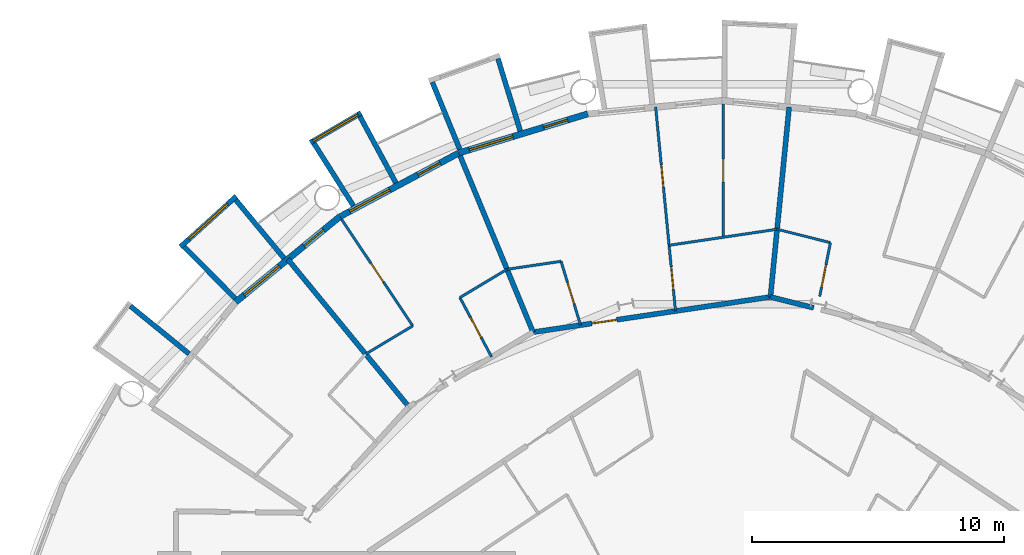
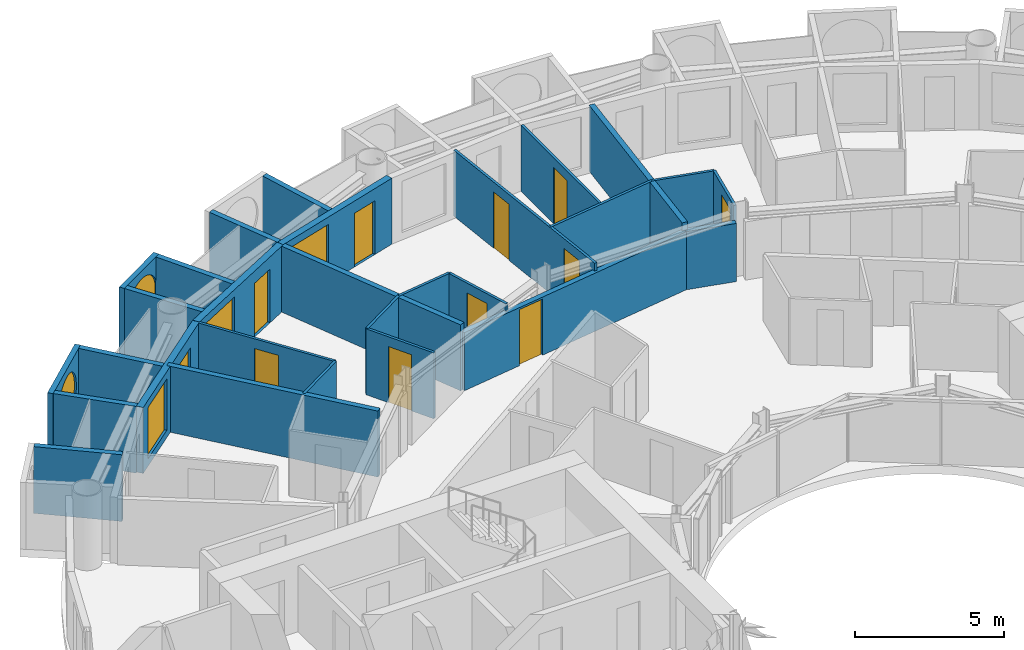
# One storey, part 19 of 26: 28 walls, 11 doors, 5 windows, 16 openings.
"""IFC4 building model written with IfcOpenShell, lengths in metres."""

from ifc_helpers import new_model, si_unit, direction, frame, frame_2d, origin, place, context, subcontext, project, spatial, rectangle, circle, extrude, material, layer, layer_set, type_object, element, fill, save


model = new_model("IFC4")

# Units and contexts
model_context = context("Model", 3, precision=1e-05, world=origin(), true_north=direction((0.0, 1.0)))
body_context = subcontext(model_context, "Body", "Model", "MODEL_VIEW")
ifc_project = project(units=[si_unit("LENGTHUNIT", "METRE"), si_unit("AREAUNIT", "SQUARE_METRE"), si_unit("VOLUMEUNIT", "CUBIC_METRE"), si_unit("PLANEANGLEUNIT", "RADIAN"), si_unit("MASSUNIT", "GRAM", prefix="KILO")], contexts=[model_context])

# Site, building, storey
site_placement = place(None, origin())
site = spatial("IfcSite", under=ifc_project, at=site_placement, CompositionType="ELEMENT")
building_placement = place(site_placement, origin())
building = spatial("IfcBuilding", under=site, at=building_placement, Name="Maasbend Ring Residences", CompositionType="ELEMENT")
storey_placement = place(building_placement, frame((0.0, 0.0, 31.949951171875)))
storey = spatial("IfcBuildingStorey", under=building, at=storey_placement, Name="L08", CompositionType="ELEMENT", Elevation=31.949951171875)

# Wall, opening, door
ifc_material_1 = material(Name="Concrete C30/37", Category="concrete")
ifc_layer_1 = layer(ifc_material_1, 0.199951171875)
ifc_layer_set_1 = layer_set([ifc_layer_1], Name="Concrete C30/37")
wall_type_1 = type_object("IfcWallType", Name="CORRIDOR WALL 200 CONCRETE", PredefinedType="PARTITIONING", material=ifc_layer_set_1)
wall_1_placement = place(storey_placement, frame((-7.5009765625, 18.10791015625, 0.0), z_axis=(0.0, 0.0, 1.0), x_axis=(0.989167514259, 0.146791105777, 0.0)))
wall_1 = element("IfcWall", 1, at=wall_1_placement, inside=storey, type_object=wall_type_1, Name="U-L08-w086", PredefinedType="PARTITIONING", context=body_context, shape_type="SweptSolid", body=[
    extrude(rectangle(XDim=9.525146484375, YDim=0.199951171875, at=frame_2d((4.7626953125, 0.0))), origin(), (0.0, 0.0, 1.0), 2.380126953125),
])
opening_1_placement = place(wall_1_placement, frame((2.35498046875, 0.0, 0.0)))
opening_1 = element("IfcOpeningElement", 2, at=opening_1_placement, cuts=wall_1, Name="Opening D-0810", PredefinedType="OPENING", context=body_context, shape_type="SweptSolid", body=[
    extrude(rectangle(XDim=1.0, YDim=2.300048828125, at=frame_2d((0.5, 1.14990234375))), frame((0.0, 0.10986328125, 0.0), z_axis=(0.0, -1.0, 0.0), x_axis=(1.0, 0.0, 0.0)), (0.0, 0.0, 1.0), 0.219970703125),
])
ifc_material_2 = material(Name="Timber, fire-rated, painted", Category="wood")
door_type_1 = type_object("IfcDoorType", Name="FLAT ENTRANCE DOOR 1000 X 2300 FIRE-RATED", OperationType="NOTDEFINED", PredefinedType="DOOR", material=ifc_material_2)
door_1_placement = place(opening_1_placement, origin())
door_1 = element("IfcDoor", 3, at=door_1_placement, inside=storey, type_object=door_type_1, Name="D-0810", OperationType="SINGLE_SWING_LEFT", OverallHeight=2.300048828125, OverallWidth=1.0, PredefinedType="DOOR", context=body_context, shape_type="SweptSolid", body=[
    extrude(rectangle(XDim=1.0, YDim=2.300048828125, at=frame_2d((0.5, 1.14990234375))), frame((0.0, 0.02490234375, 0.0), z_axis=(0.0, -1.0, 0.0), x_axis=(1.0, 0.0, 0.0)), (0.0, 0.0, 1.0), 0.050048828125),
])
fill(opening_1, door_1)

# Walls
wall_2_placement = place(storey_placement, frame((1.9208984375, 19.506103515625, 0.0), z_axis=(0.0, 0.0, 1.0), x_axis=(0.970053237222, -0.242892397895, 0.0)))
element("IfcWall", 4, at=wall_2_placement, inside=storey, type_object=wall_type_1, Name="U-L08-w090", PredefinedType="PARTITIONING", context=body_context, shape_type="SweptSolid", body=[
    extrude(rectangle(XDim=1.77099609375, YDim=0.199951171875, at=frame_2d((0.885498046875, 0.0))), origin(), (0.0, 0.0, 1.0), 2.380126953125),
])
ifc_material_3 = material(Name="Pale anodised aluminium panel", Category="aluminium")
ifc_layer_2 = layer(ifc_material_3, 0.199951171875)
ifc_layer_set_2 = layer_set([ifc_layer_2], Name="EW-BOX")
wall_type_2 = type_object("IfcWallType", Name="EW-BOX", PredefinedType="SOLIDWALL", material=ifc_layer_set_2)
wall_3_placement = place(storey_placement, frame((-8.009033203125, 26.092041015625, -0.030029296875), z_axis=(0.0, 0.0, 1.0), x_axis=(-0.293406695073, 0.955987715029, 0.0)))
element("IfcWall", 5, at=wall_3_placement, inside=storey, type_object=wall_type_2, Name="Box side wall N14 left", PredefinedType="SOLIDWALL", context=body_context, shape_type="SweptSolid", body=[
    extrude(rectangle(XDim=3.00634765625, YDim=0.199951171875, at=frame_2d((1.503173828125, 0.0))), origin(), (0.0, 0.0, 1.0), 2.72998046875),
])
wall_4_placement = place(storey_placement, frame((-10.408935546875, 25.364013671875, -0.030029296875), z_axis=(0.0, 0.0, 1.0), x_axis=(-0.379509886562, 0.925187681501, 0.0)))
element("IfcWall", 6, at=wall_4_placement, inside=storey, type_object=wall_type_2, Name="Box side wall N14 right", PredefinedType="SOLIDWALL", context=body_context, shape_type="SweptSolid", body=[
    extrude(rectangle(XDim=2.882568359375, YDim=0.199951171875, at=frame_2d((1.44140625, 0.0))), origin(), (0.0, 0.0, 1.0), 2.72998046875),
])

# Wall, opening, window
wall_5_placement = place(storey_placement, frame((-14.326904296875, 26.81201171875, -0.030029296875), z_axis=(0.0, 0.0, 1.0), x_axis=(-0.863346521872, -0.504611517081, 0.0)))
wall_5 = element("IfcWall", 7, at=wall_5_placement, inside=storey, type_object=wall_type_2, Name="Box front N16", PredefinedType="SOLIDWALL", context=body_context, shape_type="SweptSolid", body=[
    extrude(rectangle(XDim=2.33642578125, YDim=0.199951171875, at=frame_2d((1.168212890625, 0.0))), origin(), (0.0, 0.0, 1.0), 2.72998046875),
])
opening_2_placement = place(wall_5_placement, frame((0.128173828125, 0.0, 0.330078125)))
opening_2 = element("IfcOpeningElement", 8, at=opening_2_placement, cuts=wall_5, Name="Opening W-RD", PredefinedType="OPENING", context=body_context, shape_type="SweptSolid", body=[
    extrude(circle(Radius=1.0400390625, at=frame_2d((1.0400390625, 1.0400390625))), frame((0.0, 0.10986328125, 0.0), z_axis=(0.0, -1.0, 0.0), x_axis=(1.0, 0.0, 0.0)), (0.0, 0.0, 1.0), 0.219970703125),
])
ifc_material_4 = material(Name="Aluminium and clear glass", Category="aluminium")
window_type_1 = type_object("IfcWindowType", Name="W-RD", PartitioningType="SINGLE_PANEL", PredefinedType="WINDOW", material=ifc_material_4)
window_1_placement = place(opening_2_placement, origin())
window_1 = element("IfcWindow", 9, at=window_1_placement, inside=storey, type_object=window_type_1, Name="Round window N16", OverallHeight=2.080078125, OverallWidth=2.080078125, PartitioningType="SINGLE_PANEL", PredefinedType="WINDOW", context=body_context, shape_type="SweptSolid", body=[
    extrude(circle(Radius=1.0400390625, at=frame_2d((1.0400390625, 1.0400390625))), frame((0.0, 0.030029296875, 0.0), z_axis=(0.0, -1.0, 0.0), x_axis=(1.0, 0.0, 0.0)), (0.0, 0.0, 1.0), 0.06005859375),
])
fill(opening_2, window_1)

# Walls
wall_6_placement = place(storey_placement, frame((-12.945068359375, 24.029052734375, -0.030029296875), z_axis=(0.0, 0.0, 1.0), x_axis=(-0.474424310775, 0.88029629861, 0.0)))
element("IfcWall", 10, at=wall_6_placement, inside=storey, type_object=wall_type_2, Name="Box side wall N16 left", PredefinedType="SOLIDWALL", context=body_context, shape_type="SweptSolid", body=[
    extrude(rectangle(XDim=3.005859375, YDim=0.199951171875, at=frame_2d((1.5029296875, 0.0))), origin(), (0.0, 0.0, 1.0), 2.72998046875),
])
wall_7_placement = place(storey_placement, frame((-14.635009765625, 23.1259765625, -0.030029296875), z_axis=(0.0, 0.0, 1.0), x_axis=(-0.534437802731, 0.845207805816, 0.0)))
element("IfcWall", 11, at=wall_7_placement, inside=storey, type_object=wall_type_2, Name="Box side wall N16 right", PredefinedType="SOLIDWALL", context=body_context, shape_type="SweptSolid", body=[
    extrude(rectangle(XDim=2.931884765625, YDim=0.199951171875, at=frame_2d((1.4658203125, 0.0))), origin(), (0.0, 0.0, 1.0), 2.72998046875),
])

# Wall, opening, window
wall_8_placement = place(storey_placement, frame((-19.281982421875, 23.5029296875, -0.030029296875), z_axis=(0.0, 0.0, 1.0), x_axis=(-0.740998365753, -0.671506829416, 0.0)))
wall_8 = element("IfcWall", 12, at=wall_8_placement, inside=storey, type_object=wall_type_2, Name="Box front N18", PredefinedType="SOLIDWALL", context=body_context, shape_type="SweptSolid", body=[
    extrude(rectangle(XDim=2.9931640625, YDim=0.199951171875, at=frame_2d((1.49658203125, 0.0))), origin(), (0.0, 0.0, 1.0), 2.72998046875),
])
opening_3_placement = place(wall_8_placement, frame((0.45654296875, 0.0, 0.330078125)))
opening_3 = element("IfcOpeningElement", 13, at=opening_3_placement, cuts=wall_8, Name="Opening W-RD", PredefinedType="OPENING", context=body_context, shape_type="SweptSolid", body=[
    extrude(circle(Radius=1.0400390625, at=frame_2d((1.0400390625, 1.0400390625))), frame((0.0, 0.10986328125, 0.0), z_axis=(0.0, -1.0, 0.0), x_axis=(1.0, 0.0, 0.0)), (0.0, 0.0, 1.0), 0.219970703125),
])
window_2_placement = place(opening_3_placement, origin())
window_2 = element("IfcWindow", 14, at=window_2_placement, inside=storey, type_object=window_type_1, Name="Round window N18", OverallHeight=2.080078125, OverallWidth=2.080078125, PartitioningType="SINGLE_PANEL", PredefinedType="WINDOW", context=body_context, shape_type="SweptSolid", body=[
    extrude(circle(Radius=1.0400390625, at=frame_2d((1.0400390625, 1.0400390625))), frame((0.0, 0.030029296875, 0.0), z_axis=(0.0, -1.0, 0.0), x_axis=(1.0, 0.0, 0.0)), (0.0, 0.0, 1.0), 0.06005859375),
])
fill(opening_3, window_2)

# Walls
wall_9_placement = place(storey_placement, frame((-17.384033203125, 21.041015625, -0.030029296875), z_axis=(0.0, 0.0, 1.0), x_axis=(-0.63709551667, 0.770784861449, 0.0)))
element("IfcWall", 15, at=wall_9_placement, inside=storey, type_object=wall_type_2, Name="Box side wall N18 left", PredefinedType="SOLIDWALL", context=body_context, shape_type="SweptSolid", body=[
    extrude(rectangle(XDim=3.005859375, YDim=0.199951171875, at=frame_2d((1.5029296875, 0.0))), origin(), (0.0, 0.0, 1.0), 2.72998046875),
])
wall_10_placement = place(storey_placement, frame((-19.322998046875, 19.449951171875, -0.030029296875), z_axis=(0.0, 0.0, 1.0), x_axis=(-0.704476739375, 0.709727076896, 0.0)))
element("IfcWall", 16, at=wall_10_placement, inside=storey, type_object=wall_type_2, Name="Box side wall N18 right", PredefinedType="SOLIDWALL", context=body_context, shape_type="SweptSolid", body=[
    extrude(rectangle(XDim=2.883056640625, YDim=0.199951171875, at=frame_2d((1.44140625, 0.0))), origin(), (0.0, 0.0, 1.0), 2.72998046875),
])
wall_11_placement = place(storey_placement, frame((-21.155029296875, 17.24609375, -0.030029296875), z_axis=(0.0, 0.0, 1.0), x_axis=(-0.775179004516, 0.631741648902, 0.0)))
element("IfcWall", 17, at=wall_11_placement, inside=storey, type_object=wall_type_2, Name="Box side wall N20 left", PredefinedType="SOLIDWALL", context=body_context, shape_type="SweptSolid", body=[
    extrude(rectangle(XDim=3.005859375, YDim=0.199951171875, at=frame_2d((1.5029296875, 0.0))), origin(), (0.0, 0.0, 1.0), 2.72998046875),
])

# Wall, openings, door, window
ifc_material_5 = material(Name="Aluminium clad insulated panel", Category="aluminium")
ifc_layer_3 = layer(ifc_material_5, 0.25)
ifc_layer_set_3 = layer_set([ifc_layer_3], Name="EW-GL")
wall_type_3 = type_object("IfcWallType", Name="EW-GL", PredefinedType="SOLIDWALL", material=ifc_layer_set_3)
wall_12_placement = place(storey_placement, frame((-5.325927734375, 26.77490234375, 0.0), z_axis=(0.0, 0.0, 1.0), x_axis=(-0.956965678721, -0.290201119486, 0.0)))
wall_12 = element("IfcWall", 18, at=wall_12_placement, inside=storey, type_object=wall_type_3, Name="External wall N07", PredefinedType="SOLIDWALL", context=body_context, shape_type="SweptSolid", body=[
    extrude(rectangle(XDim=5.351318359375, YDim=0.25, at=frame_2d((2.67578125, 0.0))), origin(), (0.0, 0.0, 1.0), 2.699951171875),
])
opening_4_placement = place(wall_12_placement, frame((0.841064453125, 0.0, 0.0)))
opening_4 = element("IfcOpeningElement", 19, at=opening_4_placement, cuts=wall_12, Name="Opening D-LG", PredefinedType="OPENING", context=body_context, shape_type="SweptSolid", body=[
    extrude(rectangle(XDim=1.0, YDim=2.199951171875, at=frame_2d((0.5, 1.10009765625))), frame((0.0, 0.135009765625, 0.0), z_axis=(0.0, -1.0, 0.0), x_axis=(1.0, 0.0, 0.0)), (0.0, 0.0, 1.0), 0.27001953125),
])
opening_5_placement = place(wall_12_placement, frame((3.110595703125, 0.0, 0.300048828125)))
opening_5 = element("IfcOpeningElement", 20, at=opening_5_placement, cuts=wall_12, Name="Opening W-BX", PredefinedType="OPENING", context=body_context, shape_type="SweptSolid", body=[
    extrude(rectangle(XDim=1.800048828125, YDim=2.10009765625, at=frame_2d((0.89990234375, 1.050048828125))), frame((0.0, 0.135009765625, 0.0), z_axis=(0.0, -1.0, 0.0), x_axis=(1.0, 0.0, 0.0)), (0.0, 0.0, 1.0), 0.27001953125),
])
ifc_material_6 = material(Name="Aluminium and clear glass", Category="aluminium")
door_type_2 = type_object("IfcDoorType", Name="D-LG", OperationType="SINGLE_SWING_LEFT", PredefinedType="DOOR", material=ifc_material_6)
door_2_placement = place(opening_4_placement, origin())
door_2 = element("IfcDoor", 21, at=door_2_placement, inside=storey, type_object=door_type_2, Name="Loggia door N13", OperationType="SINGLE_SWING_LEFT", OverallHeight=2.199951171875, OverallWidth=1.0, PredefinedType="DOOR", context=body_context, shape_type="SweptSolid", body=[
    extrude(rectangle(XDim=1.0, YDim=2.199951171875, at=frame_2d((0.5, 1.10009765625))), frame((0.0, 0.02490234375, 0.0), z_axis=(0.0, -1.0, 0.0), x_axis=(1.0, 0.0, 0.0)), (0.0, 0.0, 1.0), 0.050048828125),
])
fill(opening_4, door_2)
ifc_material_7 = material(Name="Aluminium and clear glass", Category="aluminium")
window_type_2 = type_object("IfcWindowType", Name="W-BX", PartitioningType="DOUBLE_PANEL_VERTICAL", PredefinedType="WINDOW", material=ifc_material_7)
window_3_placement = place(opening_5_placement, origin())
window_3 = element("IfcWindow", 22, at=window_3_placement, inside=storey, type_object=window_type_2, Name="Window N14 room to box", OverallHeight=2.10009765625, OverallWidth=1.800048828125, PartitioningType="SINGLE_PANEL", PredefinedType="WINDOW", context=body_context, shape_type="SweptSolid", body=[
    extrude(rectangle(XDim=1.800048828125, YDim=2.10009765625, at=frame_2d((0.89990234375, 1.050048828125))), frame((0.0, 0.030029296875, 0.0), z_axis=(0.0, -1.0, 0.0), x_axis=(1.0, 0.0, 0.0)), (0.0, 0.0, 1.0), 0.06005859375),
])
fill(opening_5, window_3)

wall_13_placement = place(storey_placement, frame((-10.447021484375, 25.221923828125, 0.0), z_axis=(0.0, 0.0, 1.0), x_axis=(-0.881915646801, -0.471407246368, 0.0)))
wall_13 = element("IfcWall", 23, at=wall_13_placement, inside=storey, type_object=wall_type_3, Name="External wall N08", PredefinedType="SOLIDWALL", context=body_context, shape_type="SweptSolid", body=[
    extrude(rectangle(XDim=5.35205078125, YDim=0.25, at=frame_2d((2.676025390625, 0.0))), origin(), (0.0, 0.0, 1.0), 2.699951171875),
])
opening_6_placement = place(wall_13_placement, frame((0.841064453125, 0.0, 0.0)))
opening_6 = element("IfcOpeningElement", 24, at=opening_6_placement, cuts=wall_13, Name="Opening D-LG", PredefinedType="OPENING", context=body_context, shape_type="SweptSolid", body=[
    extrude(rectangle(XDim=1.0, YDim=2.199951171875, at=frame_2d((0.5, 1.10009765625))), frame((0.0, 0.135009765625, 0.0), z_axis=(0.0, -1.0, 0.0), x_axis=(1.0, 0.0, 0.0)), (0.0, 0.0, 1.0), 0.27001953125),
])
opening_7_placement = place(wall_13_placement, frame((3.110595703125, 0.0, 0.300048828125)))
opening_7 = element("IfcOpeningElement", 25, at=opening_7_placement, cuts=wall_13, Name="Opening W-BX", PredefinedType="OPENING", context=body_context, shape_type="SweptSolid", body=[
    extrude(rectangle(XDim=1.800048828125, YDim=2.10009765625, at=frame_2d((0.89990234375, 1.050048828125))), frame((0.0, 0.135009765625, 0.0), z_axis=(0.0, -1.0, 0.0), x_axis=(1.0, 0.0, 0.0)), (0.0, 0.0, 1.0), 0.27001953125),
])
door_3_placement = place(opening_6_placement, origin())
door_3 = element("IfcDoor", 26, at=door_3_placement, inside=storey, type_object=door_type_2, Name="Loggia door N15", OperationType="SINGLE_SWING_LEFT", OverallHeight=2.199951171875, OverallWidth=1.0, PredefinedType="DOOR", context=body_context, shape_type="SweptSolid", body=[
    extrude(rectangle(XDim=1.0, YDim=2.199951171875, at=frame_2d((0.5, 1.10009765625))), frame((0.0, 0.02490234375, 0.0), z_axis=(0.0, -1.0, 0.0), x_axis=(1.0, 0.0, 0.0)), (0.0, 0.0, 1.0), 0.050048828125),
])
fill(opening_6, door_3)
window_4_placement = place(opening_7_placement, origin())
window_4 = element("IfcWindow", 27, at=window_4_placement, inside=storey, type_object=window_type_2, Name="Window N16 room to box", OverallHeight=2.10009765625, OverallWidth=1.800048828125, PartitioningType="SINGLE_PANEL", PredefinedType="WINDOW", context=body_context, shape_type="SweptSolid", body=[
    extrude(rectangle(XDim=1.800048828125, YDim=2.10009765625, at=frame_2d((0.89990234375, 1.050048828125))), frame((0.0, 0.030029296875, 0.0), z_axis=(0.0, -1.0, 0.0), x_axis=(1.0, 0.0, 0.0)), (0.0, 0.0, 1.0), 0.06005859375),
])
fill(opening_7, window_4)

wall_14_placement = place(storey_placement, frame((-15.1669921875, 22.698974609375, 0.0), z_axis=(0.0, 0.0, 1.0), x_axis=(-0.773019449054, -0.634382322723, 0.0)))
wall_14 = element("IfcWall", 28, at=wall_14_placement, inside=storey, type_object=wall_type_3, Name="External wall N09", PredefinedType="SOLIDWALL", context=body_context, shape_type="SweptSolid", body=[
    extrude(rectangle(XDim=5.351806640625, YDim=0.25, at=frame_2d((2.67578125, 0.0))), origin(), (0.0, 0.0, 1.0), 2.699951171875),
])
opening_8_placement = place(wall_14_placement, frame((0.841064453125, 0.0, 0.0)))
opening_8 = element("IfcOpeningElement", 29, at=opening_8_placement, cuts=wall_14, Name="Opening D-LG", PredefinedType="OPENING", context=body_context, shape_type="SweptSolid", body=[
    extrude(rectangle(XDim=1.0, YDim=2.199951171875, at=frame_2d((0.5, 1.10009765625))), frame((0.0, 0.135009765625, 0.0), z_axis=(0.0, -1.0, 0.0), x_axis=(1.0, 0.0, 0.0)), (0.0, 0.0, 1.0), 0.27001953125),
])
opening_9_placement = place(wall_14_placement, frame((3.110595703125, 0.0, 0.300048828125)))
opening_9 = element("IfcOpeningElement", 30, at=opening_9_placement, cuts=wall_14, Name="Opening W-BX", PredefinedType="OPENING", context=body_context, shape_type="SweptSolid", body=[
    extrude(rectangle(XDim=1.800048828125, YDim=2.10009765625, at=frame_2d((0.89990234375, 1.050048828125))), frame((0.0, 0.135009765625, 0.0), z_axis=(0.0, -1.0, 0.0), x_axis=(1.0, 0.0, 0.0)), (0.0, 0.0, 1.0), 0.27001953125),
])
door_4_placement = place(opening_8_placement, origin())
door_4 = element("IfcDoor", 31, at=door_4_placement, inside=storey, type_object=door_type_2, Name="Loggia door N17", OperationType="SINGLE_SWING_LEFT", OverallHeight=2.199951171875, OverallWidth=1.0, PredefinedType="DOOR", context=body_context, shape_type="SweptSolid", body=[
    extrude(rectangle(XDim=1.0, YDim=2.199951171875, at=frame_2d((0.5, 1.10009765625))), frame((0.0, 0.02490234375, 0.0), z_axis=(0.0, -1.0, 0.0), x_axis=(1.0, 0.0, 0.0)), (0.0, 0.0, 1.0), 0.050048828125),
])
fill(opening_8, door_4)
window_5_placement = place(opening_9_placement, origin())
window_5 = element("IfcWindow", 32, at=window_5_placement, inside=storey, type_object=window_type_2, Name="Window N18 room to box", OverallHeight=2.10009765625, OverallWidth=1.800048828125, PartitioningType="SINGLE_PANEL", PredefinedType="WINDOW", context=body_context, shape_type="SweptSolid", body=[
    extrude(rectangle(XDim=1.800048828125, YDim=2.10009765625, at=frame_2d((0.89990234375, 1.050048828125))), frame((0.0, 0.030029296875, 0.0), z_axis=(0.0, -1.0, 0.0), x_axis=(1.0, 0.0, 0.0)), (0.0, 0.0, 1.0), 0.06005859375),
])
fill(opening_9, window_5)

# Wall, opening, door
ifc_material_8 = material(Name="Gypsum board on steel studs", Category="steel")
ifc_layer_4 = layer(ifc_material_8, 0.10009765625)
ifc_layer_set_4 = layer_set([ifc_layer_4], Name="PARTITION 100 GYPSUM")
wall_type_4 = type_object("IfcWallType", Name="PARTITION 100 GYPSUM", PredefinedType="PARTITIONING", material=ifc_layer_set_4)
wall_15_placement = place(storey_placement, frame((-15.10498046875, 22.590087890625, 0.0), z_axis=(0.0, 0.0, 1.0), x_axis=(0.555939561221, -0.831222716406, 0.0)))
wall_15 = element("IfcWall", 33, at=wall_15_placement, inside=storey, type_object=wall_type_4, Name="U-L08-w032", PredefinedType="PARTITIONING", context=body_context, shape_type="SweptSolid", body=[
    extrude(rectangle(XDim=5.0888671875, YDim=0.10009765625, at=frame_2d((2.54443359375, 0.0))), origin(), (0.0, 0.0, 1.0), 2.699951171875),
])
opening_10_placement = place(wall_15_placement, frame((2.093994140625, 0.0, 0.0)))
opening_10 = element("IfcOpeningElement", 34, at=opening_10_placement, cuts=wall_15, Name="Opening D-0817", PredefinedType="OPENING", context=body_context, shape_type="SweptSolid", body=[
    extrude(rectangle(XDim=0.89990234375, YDim=2.300048828125, at=frame_2d((0.449951171875, 1.14990234375))), frame((0.0, 0.06005859375, 0.0), z_axis=(0.0, -1.0, 0.0), x_axis=(1.0, 0.0, 0.0)), (0.0, 0.0, 1.0), 0.1201171875),
])
ifc_material_9 = material(Name="Timber, painted", Category="wood")
door_type_3 = type_object("IfcDoorType", Name="INTERNAL DOOR 900 X 2300", OperationType="NOTDEFINED", PredefinedType="DOOR", material=ifc_material_9)
door_5_placement = place(opening_10_placement, origin())
door_5 = element("IfcDoor", 35, at=door_5_placement, inside=storey, type_object=door_type_3, Name="D-0817", OperationType="SINGLE_SWING_RIGHT", OverallHeight=2.300048828125, OverallWidth=0.89990234375, PredefinedType="DOOR", context=body_context, shape_type="SweptSolid", body=[
    extrude(rectangle(XDim=0.89990234375, YDim=2.300048828125, at=frame_2d((0.449951171875, 1.14990234375))), frame((0.0, 0.02490234375, 0.0), z_axis=(0.0, -1.0, 0.0), x_axis=(1.0, 0.0, 0.0)), (0.0, 0.0, 1.0), 0.050048828125),
])
fill(opening_10, door_5)

wall_16_placement = place(storey_placement, frame((-10.405029296875, 19.48095703125, 0.0), z_axis=(0.0, 0.0, 1.0), x_axis=(0.471151994359, -0.882052038267, 0.0)))
wall_16 = element("IfcWall", 36, at=wall_16_placement, inside=storey, type_object=wall_type_4, Name="U-L08-w036", PredefinedType="PARTITIONING", context=body_context, shape_type="SweptSolid", body=[
    extrude(rectangle(XDim=2.67431640625, YDim=0.10009765625, at=frame_2d((1.337158203125, 0.0))), origin(), (0.0, 0.0, 1.0), 2.699951171875),
])
opening_11_placement = place(wall_16_placement, frame((0.886962890625, 0.0, 0.0)))
opening_11 = element("IfcOpeningElement", 37, at=opening_11_placement, cuts=wall_16, Name="Opening D-0816", PredefinedType="OPENING", context=body_context, shape_type="SweptSolid", body=[
    extrude(rectangle(XDim=0.89990234375, YDim=2.300048828125, at=frame_2d((0.449951171875, 1.14990234375))), frame((0.0, 0.06005859375, 0.0), z_axis=(0.0, -1.0, 0.0), x_axis=(1.0, 0.0, 0.0)), (0.0, 0.0, 1.0), 0.1201171875),
])
door_6_placement = place(opening_11_placement, origin())
door_6 = element("IfcDoor", 38, at=door_6_placement, inside=storey, type_object=door_type_3, Name="D-0816", OperationType="SINGLE_SWING_LEFT", OverallHeight=2.300048828125, OverallWidth=0.89990234375, PredefinedType="DOOR", context=body_context, shape_type="SweptSolid", body=[
    extrude(rectangle(XDim=0.89990234375, YDim=2.300048828125, at=frame_2d((0.449951171875, 1.14990234375))), frame((0.0, 0.02490234375, 0.0), z_axis=(0.0, -1.0, 0.0), x_axis=(1.0, 0.0, 0.0)), (0.0, 0.0, 1.0), 0.050048828125),
])
fill(opening_11, door_6)

wall_17_placement = place(storey_placement, frame((-6.389892578125, 20.9208984375, 0.0), z_axis=(0.0, 0.0, 1.0), x_axis=(0.292206826201, -0.956355148845, 0.0)))
wall_17 = element("IfcWall", 39, at=wall_17_placement, inside=storey, type_object=wall_type_4, Name="U-L08-w041", PredefinedType="PARTITIONING", context=body_context, shape_type="SweptSolid", body=[
    extrude(rectangle(XDim=2.6484375, YDim=0.10009765625, at=frame_2d((1.32421875, 0.0))), origin(), (0.0, 0.0, 1.0), 2.699951171875),
])
opening_12_placement = place(wall_17_placement, frame((0.8740234375, 0.0, 0.0)))
opening_12 = element("IfcOpeningElement", 40, at=opening_12_placement, cuts=wall_17, Name="Opening D-0811", PredefinedType="OPENING", context=body_context, shape_type="SweptSolid", body=[
    extrude(rectangle(XDim=0.89990234375, YDim=2.300048828125, at=frame_2d((0.449951171875, 1.14990234375))), frame((0.0, 0.06005859375, 0.0), z_axis=(0.0, -1.0, 0.0), x_axis=(1.0, 0.0, 0.0)), (0.0, 0.0, 1.0), 0.1201171875),
])
door_7_placement = place(opening_12_placement, origin())
door_7 = element("IfcDoor", 41, at=door_7_placement, inside=storey, type_object=door_type_3, Name="D-0811", OperationType="SINGLE_SWING_LEFT", OverallHeight=2.300048828125, OverallWidth=0.89990234375, PredefinedType="DOOR", context=body_context, shape_type="SweptSolid", body=[
    extrude(rectangle(XDim=0.89990234375, YDim=2.300048828125, at=frame_2d((0.449951171875, 1.14990234375))), frame((0.0, 0.02490234375, 0.0), z_axis=(0.0, -1.0, 0.0), x_axis=(1.0, 0.0, 0.0)), (0.0, 0.0, 1.0), 0.050048828125),
])
fill(opening_12, door_7)

# Wall, openings, doors
wall_18_placement = place(storey_placement, frame((-2.635986328125, 27.047119140625, 0.0), z_axis=(0.0, 0.0, 1.0), x_axis=(0.096836141099, -0.995300337475, 0.0)))
wall_18 = element("IfcWall", 42, at=wall_18_placement, inside=storey, type_object=wall_type_4, Name="U-L08-w046", PredefinedType="PARTITIONING", context=body_context, shape_type="SweptSolid", body=[
    extrude(rectangle(XDim=8.138427734375, YDim=0.10009765625, at=frame_2d((4.0693359375, 0.0))), origin(), (0.0, 0.0, 1.0), 2.699951171875),
])
opening_13_placement = place(wall_18_placement, frame((6.376953125, 0.0, 0.0)))
opening_13 = element("IfcOpeningElement", 43, at=opening_13_placement, cuts=wall_18, Name="Opening D-0812", PredefinedType="OPENING", context=body_context, shape_type="SweptSolid", body=[
    extrude(rectangle(XDim=0.89990234375, YDim=2.300048828125, at=frame_2d((0.449951171875, 1.14990234375))), frame((0.0, 0.06005859375, 0.0), z_axis=(0.0, -1.0, 0.0), x_axis=(1.0, 0.0, 0.0)), (0.0, 0.0, 1.0), 0.1201171875),
])
opening_14_placement = place(wall_18_placement, frame((2.30810546875, 0.0, 0.0)))
opening_14 = element("IfcOpeningElement", 44, at=opening_14_placement, cuts=wall_18, Name="Opening D-0813", PredefinedType="OPENING", context=body_context, shape_type="SweptSolid", body=[
    extrude(rectangle(XDim=0.89990234375, YDim=2.300048828125, at=frame_2d((0.449951171875, 1.14990234375))), frame((0.0, 0.06005859375, 0.0), z_axis=(0.0, -1.0, 0.0), x_axis=(1.0, 0.0, 0.0)), (0.0, 0.0, 1.0), 0.1201171875),
])
door_8_placement = place(opening_13_placement, origin())
door_8 = element("IfcDoor", 45, at=door_8_placement, inside=storey, type_object=door_type_3, Name="D-0812", OperationType="SINGLE_SWING_RIGHT", OverallHeight=2.300048828125, OverallWidth=0.89990234375, PredefinedType="DOOR", context=body_context, shape_type="SweptSolid", body=[
    extrude(rectangle(XDim=0.89990234375, YDim=2.300048828125, at=frame_2d((0.449951171875, 1.14990234375))), frame((0.0, 0.02490234375, 0.0), z_axis=(0.0, -1.0, 0.0), x_axis=(1.0, 0.0, 0.0)), (0.0, 0.0, 1.0), 0.050048828125),
])
fill(opening_13, door_8)
door_9_placement = place(opening_14_placement, origin())
door_9 = element("IfcDoor", 46, at=door_9_placement, inside=storey, type_object=door_type_3, Name="D-0813", OperationType="SINGLE_SWING_LEFT", OverallHeight=2.300048828125, OverallWidth=0.89990234375, PredefinedType="DOOR", context=body_context, shape_type="SweptSolid", body=[
    extrude(rectangle(XDim=0.89990234375, YDim=2.300048828125, at=frame_2d((0.449951171875, 1.14990234375))), frame((0.0, 0.02490234375, 0.0), z_axis=(0.0, -1.0, 0.0), x_axis=(1.0, 0.0, 0.0)), (0.0, 0.0, 1.0), 0.050048828125),
])
fill(opening_14, door_9)

# Wall, opening, door
wall_19_placement = place(storey_placement, frame((0.0419921875, 21.875, 0.0), z_axis=(0.0, 0.0, 1.0), x_axis=(0.001888614256, 0.999998216567, 0.0)))
wall_19 = element("IfcWall", 47, at=wall_19_placement, inside=storey, type_object=wall_type_4, Name="U-L08-w049", PredefinedType="PARTITIONING", context=body_context, shape_type="SweptSolid", body=[
    extrude(rectangle(XDim=5.300048828125, YDim=0.10009765625, at=frame_2d((2.64990234375, 0.0))), origin(), (0.0, 0.0, 1.0), 2.699951171875),
])
opening_15_placement = place(wall_19_placement, frame((2.199951171875, 0.0, 0.0)))
opening_15 = element("IfcOpeningElement", 48, at=opening_15_placement, cuts=wall_19, Name="Opening D-0814", PredefinedType="OPENING", context=body_context, shape_type="SweptSolid", body=[
    extrude(rectangle(XDim=0.89990234375, YDim=2.300048828125, at=frame_2d((0.449951171875, 1.14990234375))), frame((0.0, 0.06005859375, 0.0), z_axis=(0.0, -1.0, 0.0), x_axis=(1.0, 0.0, 0.0)), (0.0, 0.0, 1.0), 0.1201171875),
])
door_10_placement = place(opening_15_placement, origin())
door_10 = element("IfcDoor", 49, at=door_10_placement, inside=storey, type_object=door_type_3, Name="D-0814", OperationType="SINGLE_SWING_RIGHT", OverallHeight=2.300048828125, OverallWidth=0.89990234375, PredefinedType="DOOR", context=body_context, shape_type="SweptSolid", body=[
    extrude(rectangle(XDim=0.89990234375, YDim=2.300048828125, at=frame_2d((0.449951171875, 1.14990234375))), frame((0.0, 0.02490234375, 0.0), z_axis=(0.0, -1.0, 0.0), x_axis=(1.0, 0.0, 0.0)), (0.0, 0.0, 1.0), 0.050048828125),
])
fill(opening_15, door_10)

wall_20_placement = place(storey_placement, frame((3.8779296875, 19.529052734375, 0.0), z_axis=(0.0, 0.0, 1.0), x_axis=(0.194907578226, 0.980821612706, 0.0)))
wall_20 = element("IfcWall", 50, at=wall_20_placement, inside=storey, type_object=wall_type_4, Name="U-L08-w056", PredefinedType="PARTITIONING", context=body_context, shape_type="SweptSolid", body=[
    extrude(rectangle(XDim=2.17578125, YDim=0.10009765625, at=frame_2d((1.087890625, 0.0))), origin(), (0.0, 0.0, 1.0), 2.699951171875),
])
opening_16_placement = place(wall_20_placement, frame((0.388916015625, 0.0, 0.0)))
opening_16 = element("IfcOpeningElement", 51, at=opening_16_placement, cuts=wall_20, Name="Opening D-0808", PredefinedType="OPENING", context=body_context, shape_type="SweptSolid", body=[
    extrude(rectangle(XDim=0.89990234375, YDim=2.300048828125, at=frame_2d((0.449951171875, 1.14990234375))), frame((0.0, 0.06005859375, 0.0), z_axis=(0.0, -1.0, 0.0), x_axis=(1.0, 0.0, 0.0)), (0.0, 0.0, 1.0), 0.1201171875),
])
door_11_placement = place(opening_16_placement, origin())
door_11 = element("IfcDoor", 52, at=door_11_placement, inside=storey, type_object=door_type_3, Name="D-0808", OperationType="SINGLE_SWING_LEFT", OverallHeight=2.300048828125, OverallWidth=0.89990234375, PredefinedType="DOOR", context=body_context, shape_type="SweptSolid", body=[
    extrude(rectangle(XDim=0.89990234375, YDim=2.300048828125, at=frame_2d((0.449951171875, 1.14990234375))), frame((0.0, 0.02490234375, 0.0), z_axis=(0.0, -1.0, 0.0), x_axis=(1.0, 0.0, 0.0)), (0.0, 0.0, 1.0), 0.050048828125),
])
fill(opening_16, door_11)

# Walls
wall_21_placement = place(storey_placement, frame((-8.533935546875, 20.60302734375, 0.0), z_axis=(0.0, 0.0, 1.0), x_axis=(0.989187732684, 0.14665479708, 0.0)))
element("IfcWall", 53, at=wall_21_placement, inside=storey, type_object=wall_type_4, Name="U-L08-w095", PredefinedType="PARTITIONING", context=body_context, shape_type="SweptSolid", body=[
    extrude(rectangle(XDim=2.16748046875, YDim=0.10009765625, at=frame_2d((1.083740234375, 0.0))), origin(), (0.0, 0.0, 1.0), 2.699951171875),
])
wall_22_placement = place(storey_placement, frame((-2.10205078125, 21.556884765625, 0.0), z_axis=(0.0, 0.0, 1.0), x_axis=(0.989171386505, 0.146765009863, 0.0)))
element("IfcWall", 54, at=wall_22_placement, inside=storey, type_object=wall_type_4, Name="U-L08-w096", PredefinedType="PARTITIONING", context=body_context, shape_type="SweptSolid", body=[
    extrude(rectangle(XDim=4.3349609375, YDim=0.10009765625, at=frame_2d((2.16748046875, 0.0))), origin(), (0.0, 0.0, 1.0), 2.699951171875),
])
for number, where, z_axis, x_axis, name in (
    (55, (-14.14697265625, 17.237060546875, 0.0), (0.0, 0.0, 1.0), (0.857660741648, 0.514215958752, 0.0), "U-L08-w101"),
    (56, (-10.405029296875, 19.48095703125, 0.0), (0.0, 0.0, 1.0), (0.857611386679, 0.514298268943, 0.0), "U-L08-w102"),
):
    element("IfcWall", number, at=place(storey_placement, frame(where, z_axis=z_axis, x_axis=x_axis)), inside=storey, type_object=wall_type_4, Name=name, PredefinedType="PARTITIONING", context=body_context, shape_type="SweptSolid", body=[
        extrude(rectangle(XDim=2.181640625, YDim=0.10009765625, at=frame_2d((1.0908203125, 0.0))), origin(), (0.0, 0.0, 1.0), 2.699951171875),
    ])
wall_23_placement = place(storey_placement, frame((2.18603515625, 22.193115234375, 0.0), z_axis=(0.0, 0.0, 1.0), x_axis=(0.97003047456, -0.242983288366, 0.0)))
element("IfcWall", 57, at=wall_23_placement, inside=storey, type_object=wall_type_4, Name="U-L08-w103", PredefinedType="PARTITIONING", context=body_context, shape_type="SweptSolid", body=[
    extrude(rectangle(XDim=2.181396484375, YDim=0.10009765625, at=frame_2d((1.0908203125, 0.0))), origin(), (0.0, 0.0, 1.0), 2.699951171875),
])
ifc_material_10 = material(Name="Concrete C30/37", Category="concrete")
ifc_layer_5 = layer(ifc_material_10, 0.199951171875)
ifc_layer_set_5 = layer_set([ifc_layer_5], Name="Concrete C30/37")
wall_type_5 = type_object("IfcWallType", Name="PARTY WALL 200 CONCRETE", PredefinedType="PARTITIONING", material=ifc_layer_set_5)
wall_24_placement = place(storey_placement, frame((-17.239990234375, 21.007080078125, 0.0), z_axis=(0.0, 0.0, 1.0), x_axis=(0.634381303318, -0.773020285633, 0.0)))
element("IfcWall", 58, at=wall_24_placement, inside=storey, type_object=wall_type_5, Name="U-L08-w028", PredefinedType="PARTITIONING", context=body_context, shape_type="SweptSolid", body=[
    extrude(rectangle(XDim=7.57568359375, YDim=0.199951171875, at=frame_2d((3.787841796875, 0.0))), origin(), (0.0, 0.0, 1.0), 2.699951171875),
])
wall_25_placement = place(storey_placement, frame((-10.39794921875, 25.10595703125, 0.0), z_axis=(0.0, 0.0, 1.0), x_axis=(0.382490346157, -0.923959487801, 0.0)))
element("IfcWall", 59, at=wall_25_placement, inside=storey, type_object=wall_type_5, Name="U-L08-w037", PredefinedType="PARTITIONING", context=body_context, shape_type="SweptSolid", body=[
    extrude(rectangle(XDim=7.573974609375, YDim=0.199951171875, at=frame_2d((3.787109375, 0.0))), origin(), (0.0, 0.0, 1.0), 2.699951171875),
])
wall_26_placement = place(storey_placement, frame((1.9208984375, 19.506103515625, 0.0), z_axis=(0.0, 0.0, 1.0), x_axis=(0.098115395479, 0.995175044487, 0.0)))
element("IfcWall", 60, at=wall_26_placement, inside=storey, type_object=wall_type_5, Name="U-L08-w050", PredefinedType="PARTITIONING", context=body_context, shape_type="SweptSolid", body=[
    extrude(rectangle(XDim=7.574462890625, YDim=0.199951171875, at=frame_2d((3.787109375, 0.0))), origin(), (0.0, 0.0, 1.0), 2.699951171875),
])

save(model, "model.ifc")
